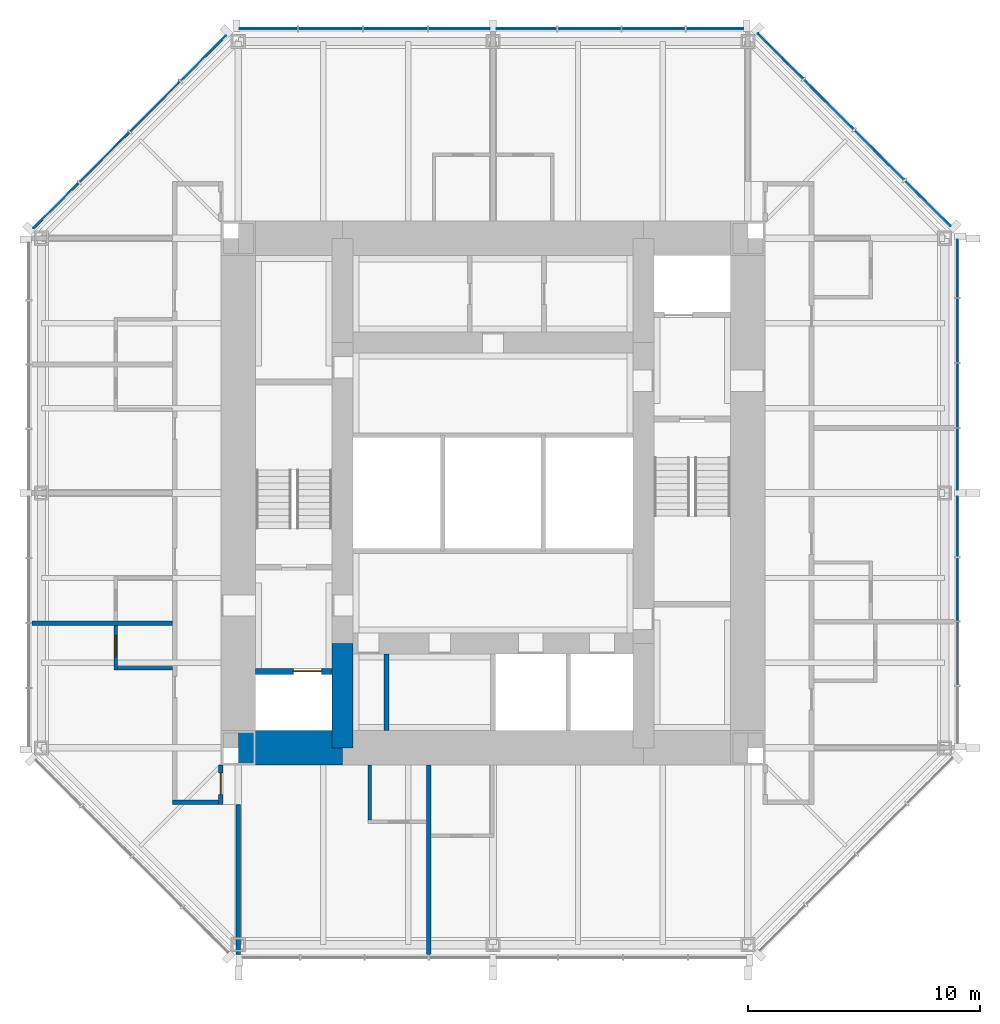
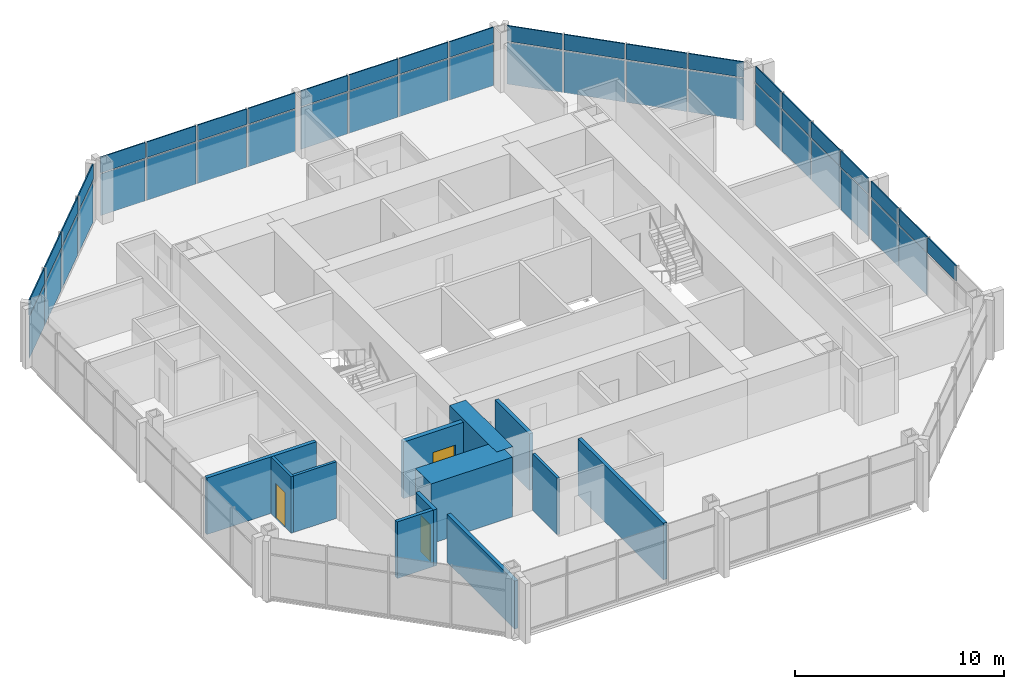
# One storey, part 7 of 11: 45 plates, 12 walls, 3 doors, 3 openings, 4 elements without a shape of their own.
"""IFC4 building model written with IfcOpenShell, lengths in metres."""

from ifc_helpers import new_model, si_unit, direction, frame, frame_2d, origin, origin_2d, place, context, subcontext, project, spatial, rectangle, extrude, material, layer, layer_set, type_object, element, fill, aggregate, save


model = new_model("IFC4")

# Units and contexts
model_context = context("Model", 3, precision=1e-05, world=origin(), true_north=direction((0.0, 1.0)))
body_context = subcontext(model_context, "Body", "Model", "MODEL_VIEW")
ifc_project = project(units=[si_unit("LENGTHUNIT", "METRE"), si_unit("AREAUNIT", "SQUARE_METRE"), si_unit("VOLUMEUNIT", "CUBIC_METRE"), si_unit("PLANEANGLEUNIT", "RADIAN"), si_unit("MASSUNIT", "GRAM", prefix="KILO")], contexts=[model_context])

# Site, building, storey
site_placement = place(None, origin())
site = spatial("IfcSite", under=ifc_project, at=site_placement, CompositionType="ELEMENT")
building_placement = place(site_placement, origin())
building = spatial("IfcBuilding", under=site, at=building_placement, Name="Trevanion Tower", CompositionType="ELEMENT")
storey_placement = place(building_placement, frame((0.0, 0.0, 222.199951171875)))
storey = spatial("IfcBuildingStorey", under=building, at=storey_placement, Name="L53", CompositionType="ELEMENT", Elevation=222.199951171875)

# Curtain wall, plates
ifc_material_1 = material(Name="Aluminium and glass", Category="aluminium")
curtain_wall_type = type_object("IfcCurtainWallType", Name="CW3 curtain wall", PredefinedType="USERDEFINED", material=ifc_material_1)
curtain_wall_1_placement = place(storey_placement, origin())
curtain_wall_1 = element("IfcCurtainWall", 1, at=curtain_wall_1_placement, inside=storey, type_object=curtain_wall_type, Name="CW3 L53 0", ObjectType="UNITISED CURTAIN WALL", PredefinedType="USERDEFINED")
ifc_material_2 = material(Name="Aluminium spandrel panel", Category="aluminium")
ifc_layer_1 = layer(ifc_material_2, 0.06005859375)
ifc_layer_set_1 = layer_set([ifc_layer_1], Name="CW3 spandrel panel")
plate_type_1 = type_object("IfcPlateType", Name="CW3 spandrel panel", PredefinedType="CURTAIN_PANEL", material=ifc_layer_set_1)
plate_1_placement = place(storey_placement, frame((20.050048828125, -6.93603515625, 2.3974609375), z_axis=(0.0, 0.0, 1.0), x_axis=(0.0, 1.0, 0.0)))
plate_1 = element("IfcPlate", 2, at=plate_1_placement, type_object=plate_type_1, Name="CW3 panel 2.2", PredefinedType="CURTAIN_PANEL", context=body_context, shape_type="SweptSolid", body=[
    extrude(rectangle(XDim=2.699462890625, YDim=0.06005859375, at=origin_2d()), origin(), (0.0, 0.0, 1.0), 0.91259765625),
])
plate_2_placement = place(storey_placement, frame((20.050048828125, -4.16162109375, 2.3974609375), z_axis=(0.0, 0.0, 1.0), x_axis=(0.0, 1.0, 0.0)))
plate_2 = element("IfcPlate", 3, at=plate_2_placement, type_object=plate_type_1, Name="CW3 panel 3.2", PredefinedType="CURTAIN_PANEL", context=body_context, shape_type="SweptSolid", body=[
    extrude(rectangle(XDim=2.699462890625, YDim=0.06005859375, at=origin_2d()), origin(), (0.0, 0.0, 1.0), 0.91259765625),
])
plate_3_placement = place(storey_placement, frame((20.050048828125, -1.443603515625, 2.3974609375), z_axis=(0.0, 0.0, 1.0), x_axis=(0.0, 1.0, 0.0)))
plate_3 = element("IfcPlate", 4, at=plate_3_placement, type_object=plate_type_1, Name="CW3 panel 4.2", PredefinedType="CURTAIN_PANEL", context=body_context, shape_type="SweptSolid", body=[
    extrude(rectangle(XDim=2.5869140625, YDim=0.06005859375, at=origin_2d()), origin(), (0.0, 0.0, 1.0), 0.91259765625),
])
plate_4_placement = place(storey_placement, frame((20.050048828125, 1.459716796875, 2.3974609375), z_axis=(0.0, 0.0, 1.0), x_axis=(0.0, 1.0, 0.0)))
plate_4 = element("IfcPlate", 5, at=plate_4_placement, type_object=plate_type_1, Name="CW3 panel 5.2", PredefinedType="CURTAIN_PANEL", context=body_context, shape_type="SweptSolid", body=[
    extrude(rectangle(XDim=2.619384765625, YDim=0.06005859375, at=origin_2d()), origin(), (0.0, 0.0, 1.0), 0.91259765625),
])
plate_5_placement = place(storey_placement, frame((20.050048828125, 4.21044921875, 2.3974609375), z_axis=(0.0, 0.0, 1.0), x_axis=(0.0, 1.0, 0.0)))
plate_5 = element("IfcPlate", 6, at=plate_5_placement, type_object=plate_type_1, Name="CW3 panel 6.2", PredefinedType="CURTAIN_PANEL", context=body_context, shape_type="SweptSolid", body=[
    extrude(rectangle(XDim=2.73193359375, YDim=0.06005859375, at=origin_2d()), origin(), (0.0, 0.0, 1.0), 0.91259765625),
])
plate_6_placement = place(storey_placement, frame((20.050048828125, 7.017333984375, 2.3974609375), z_axis=(0.0, 0.0, 1.0), x_axis=(0.0, 1.0, 0.0)))
plate_6 = element("IfcPlate", 7, at=plate_6_placement, type_object=plate_type_1, Name="CW3 panel 7.2", PredefinedType="CURTAIN_PANEL", context=body_context, shape_type="SweptSolid", body=[
    extrude(rectangle(XDim=2.73193359375, YDim=0.06005859375, at=origin_2d()), origin(), (0.0, 0.0, 1.0), 0.91259765625),
])
plate_7_placement = place(storey_placement, frame((20.050048828125, 9.693115234375, 2.3974609375), z_axis=(0.0, 0.0, 1.0), x_axis=(0.0, 1.0, 0.0)))
plate_7 = element("IfcPlate", 8, at=plate_7_placement, type_object=plate_type_1, Name="CW3 panel 8.2", PredefinedType="CURTAIN_PANEL", context=body_context, shape_type="SweptSolid", body=[
    extrude(rectangle(XDim=2.469482421875, YDim=0.06005859375, at=origin_2d()), origin(), (0.0, 0.0, 1.0), 0.91259765625),
])

curtain_wall_2_placement = place(storey_placement, origin())
curtain_wall_2 = element("IfcCurtainWall", 9, at=curtain_wall_2_placement, inside=storey, type_object=curtain_wall_type, Name="CW3 L53 1", ObjectType="UNITISED CURTAIN WALL", PredefinedType="USERDEFINED")
plate_8_placement = place(storey_placement, frame((18.77392578125, 12.50390625, 2.3974609375), z_axis=(0.0, 0.0, 1.0), x_axis=(-0.707106781187, 0.707106781187, 0.0)))
plate_8 = element("IfcPlate", 10, at=plate_8_placement, type_object=plate_type_1, Name="CW3 panel 1.2", PredefinedType="CURTAIN_PANEL", context=body_context, shape_type="SweptSolid", body=[
    extrude(rectangle(XDim=2.7490234375, YDim=0.06005859375, at=origin_2d()), origin(), (0.0, 0.0, 1.0), 0.91259765625),
])
plate_9_placement = place(storey_placement, frame((16.68408203125, 14.593505859375, 2.3974609375), z_axis=(0.0, 0.0, 1.0), x_axis=(-0.707106781187, 0.707106781187, 0.0)))
plate_9 = element("IfcPlate", 11, at=plate_9_placement, type_object=plate_type_1, Name="CW3 panel 2.2", PredefinedType="CURTAIN_PANEL", context=body_context, shape_type="SweptSolid", body=[
    extrude(rectangle(XDim=3.01171875, YDim=0.06005859375, at=origin_2d()), origin(), (0.0, 0.0, 1.0), 0.91259765625),
])
plate_10_placement = place(storey_placement, frame((14.501708984375, 16.776123046875, 2.3974609375), z_axis=(0.0, 0.0, 1.0), x_axis=(-0.707106781187, 0.707106781187, 0.0)))
plate_10 = element("IfcPlate", 12, at=plate_10_placement, type_object=plate_type_1, Name="CW3 panel 3.2", PredefinedType="CURTAIN_PANEL", context=body_context, shape_type="SweptSolid", body=[
    extrude(rectangle(XDim=3.01171875, YDim=0.06005859375, at=origin_2d()), origin(), (0.0, 0.0, 1.0), 0.91259765625),
])
plate_11_placement = place(storey_placement, frame((12.411865234375, 18.865966796875, 2.3974609375), z_axis=(0.0, 0.0, 1.0), x_axis=(-0.707106781187, 0.707106781187, 0.0)))
plate_11 = element("IfcPlate", 13, at=plate_11_placement, type_object=plate_type_1, Name="CW3 panel 4.2", PredefinedType="CURTAIN_PANEL", context=body_context, shape_type="SweptSolid", body=[
    extrude(rectangle(XDim=2.7490234375, YDim=0.06005859375, at=origin_2d()), origin(), (0.0, 0.0, 1.0), 0.91259765625),
])

curtain_wall_3_placement = place(storey_placement, origin())
curtain_wall_3 = element("IfcCurtainWall", 14, at=curtain_wall_3_placement, inside=storey, type_object=curtain_wall_type, Name="CW3 L53 2", ObjectType="UNITISED CURTAIN WALL", PredefinedType="USERDEFINED")
plate_12_placement = place(storey_placement, frame((9.579345703125, 20.050048828125, 2.3974609375), z_axis=(0.0, 0.0, 1.0), x_axis=(-1.0, 0.0, 0.0)))
plate_12 = element("IfcPlate", 15, at=plate_12_placement, type_object=plate_type_1, Name="CW3 panel 1.2", PredefinedType="CURTAIN_PANEL", context=body_context, shape_type="SweptSolid", body=[
    extrude(rectangle(XDim=2.43701171875, YDim=0.06005859375, at=origin_2d()), origin(), (0.0, 0.0, 1.0), 0.91259765625),
])
plate_13_placement = place(storey_placement, frame((6.93603515625, 20.050048828125, 2.3974609375), z_axis=(0.0, 0.0, 1.0), x_axis=(-1.0, 0.0, 0.0)))
plate_13 = element("IfcPlate", 16, at=plate_13_placement, type_object=plate_type_1, Name="CW3 panel 2.2", PredefinedType="CURTAIN_PANEL", context=body_context, shape_type="SweptSolid", body=[
    extrude(rectangle(XDim=2.699462890625, YDim=0.06005859375, at=origin_2d()), origin(), (0.0, 0.0, 1.0), 0.91259765625),
])
plate_14_placement = place(storey_placement, frame((4.16162109375, 20.050048828125, 2.3974609375), z_axis=(0.0, 0.0, 1.0), x_axis=(-1.0, 0.0, 0.0)))
plate_14 = element("IfcPlate", 17, at=plate_14_placement, type_object=plate_type_1, Name="CW3 panel 3.2", PredefinedType="CURTAIN_PANEL", context=body_context, shape_type="SweptSolid", body=[
    extrude(rectangle(XDim=2.699462890625, YDim=0.06005859375, at=origin_2d()), origin(), (0.0, 0.0, 1.0), 0.91259765625),
])
plate_15_placement = place(storey_placement, frame((1.443603515625, 20.050048828125, 2.3974609375), z_axis=(0.0, 0.0, 1.0), x_axis=(-1.0, 0.0, 0.0)))
plate_15 = element("IfcPlate", 18, at=plate_15_placement, type_object=plate_type_1, Name="CW3 panel 4.2", PredefinedType="CURTAIN_PANEL", context=body_context, shape_type="SweptSolid", body=[
    extrude(rectangle(XDim=2.5869140625, YDim=0.06005859375, at=origin_2d()), origin(), (0.0, 0.0, 1.0), 0.91259765625),
])
plate_16_placement = place(storey_placement, frame((-1.459716796875, 20.050048828125, 2.3974609375), z_axis=(0.0, 0.0, 1.0), x_axis=(-1.0, 0.0, 0.0)))
plate_16 = element("IfcPlate", 19, at=plate_16_placement, type_object=plate_type_1, Name="CW3 panel 5.2", PredefinedType="CURTAIN_PANEL", context=body_context, shape_type="SweptSolid", body=[
    extrude(rectangle(XDim=2.619384765625, YDim=0.06005859375, at=origin_2d()), origin(), (0.0, 0.0, 1.0), 0.91259765625),
])
plate_17_placement = place(storey_placement, frame((-4.21044921875, 20.050048828125, 2.3974609375), z_axis=(0.0, 0.0, 1.0), x_axis=(-1.0, 0.0, 0.0)))
plate_17 = element("IfcPlate", 20, at=plate_17_placement, type_object=plate_type_1, Name="CW3 panel 6.2", PredefinedType="CURTAIN_PANEL", context=body_context, shape_type="SweptSolid", body=[
    extrude(rectangle(XDim=2.73193359375, YDim=0.06005859375, at=origin_2d()), origin(), (0.0, 0.0, 1.0), 0.91259765625),
])
plate_18_placement = place(storey_placement, frame((-7.017333984375, 20.050048828125, 2.3974609375), z_axis=(0.0, 0.0, 1.0), x_axis=(-1.0, 0.0, 0.0)))
plate_18 = element("IfcPlate", 21, at=plate_18_placement, type_object=plate_type_1, Name="CW3 panel 7.2", PredefinedType="CURTAIN_PANEL", context=body_context, shape_type="SweptSolid", body=[
    extrude(rectangle(XDim=2.73193359375, YDim=0.06005859375, at=origin_2d()), origin(), (0.0, 0.0, 1.0), 0.91259765625),
])
plate_19_placement = place(storey_placement, frame((-9.693115234375, 20.050048828125, 2.3974609375), z_axis=(0.0, 0.0, 1.0), x_axis=(-1.0, 0.0, 0.0)))
plate_19 = element("IfcPlate", 22, at=plate_19_placement, type_object=plate_type_1, Name="CW3 panel 8.2", PredefinedType="CURTAIN_PANEL", context=body_context, shape_type="SweptSolid", body=[
    extrude(rectangle(XDim=2.469482421875, YDim=0.06005859375, at=origin_2d()), origin(), (0.0, 0.0, 1.0), 0.91259765625),
])

curtain_wall_4_placement = place(storey_placement, origin())
curtain_wall_4 = element("IfcCurtainWall", 23, at=curtain_wall_4_placement, inside=storey, type_object=curtain_wall_type, Name="CW3 L53 3", ObjectType="UNITISED CURTAIN WALL", PredefinedType="USERDEFINED")
plate_20_placement = place(storey_placement, frame((-12.50390625, 18.77392578125, 2.3974609375), z_axis=(0.0, 0.0, 1.0), x_axis=(-0.707106781187, -0.707106781187, 0.0)))
plate_20 = element("IfcPlate", 24, at=plate_20_placement, type_object=plate_type_1, Name="CW3 panel 1.2", PredefinedType="CURTAIN_PANEL", context=body_context, shape_type="SweptSolid", body=[
    extrude(rectangle(XDim=2.7490234375, YDim=0.06005859375, at=origin_2d()), origin(), (0.0, 0.0, 1.0), 0.91259765625),
])
plate_21_placement = place(storey_placement, frame((-14.593505859375, 16.68408203125, 2.3974609375), z_axis=(0.0, 0.0, 1.0), x_axis=(-0.707106781187, -0.707106781187, 0.0)))
plate_21 = element("IfcPlate", 25, at=plate_21_placement, type_object=plate_type_1, Name="CW3 panel 2.2", PredefinedType="CURTAIN_PANEL", context=body_context, shape_type="SweptSolid", body=[
    extrude(rectangle(XDim=3.01171875, YDim=0.06005859375, at=origin_2d()), origin(), (0.0, 0.0, 1.0), 0.91259765625),
])
plate_22_placement = place(storey_placement, frame((-16.776123046875, 14.501708984375, 2.3974609375), z_axis=(0.0, 0.0, 1.0), x_axis=(-0.707106781187, -0.707106781187, 0.0)))
plate_22 = element("IfcPlate", 26, at=plate_22_placement, type_object=plate_type_1, Name="CW3 panel 3.2", PredefinedType="CURTAIN_PANEL", context=body_context, shape_type="SweptSolid", body=[
    extrude(rectangle(XDim=3.01171875, YDim=0.06005859375, at=origin_2d()), origin(), (0.0, 0.0, 1.0), 0.91259765625),
])
plate_23_placement = place(storey_placement, frame((-18.865966796875, 12.411865234375, 2.3974609375), z_axis=(0.0, 0.0, 1.0), x_axis=(-0.707106781187, -0.707106781187, 0.0)))
plate_23 = element("IfcPlate", 27, at=plate_23_placement, type_object=plate_type_1, Name="CW3 panel 4.2", PredefinedType="CURTAIN_PANEL", context=body_context, shape_type="SweptSolid", body=[
    extrude(rectangle(XDim=2.7490234375, YDim=0.06005859375, at=origin_2d()), origin(), (0.0, 0.0, 1.0), 0.91259765625),
])

# Plate
ifc_material_3 = material(Name="Insulating glass unit", Category="glass")
ifc_layer_2 = layer(ifc_material_3, 0.028076171875)
ifc_layer_set_2 = layer_set([ifc_layer_2], Name="CW3 vision panel")
plate_type_2 = type_object("IfcPlateType", Name="CW3 vision panel", PredefinedType="CURTAIN_PANEL", material=ifc_layer_set_2)
plate_24_placement = place(storey_placement, frame((20.050048828125, -4.16162109375, -0.114990234375), z_axis=(0.0, 0.0, 1.0), x_axis=(0.0, 1.0, 0.0)))
plate_24 = element("IfcPlate", 28, at=plate_24_placement, type_object=plate_type_2, Name="CW3 panel 3.1", PredefinedType="CURTAIN_PANEL", context=body_context, shape_type="SweptSolid", body=[
    extrude(rectangle(XDim=2.699462890625, YDim=0.028076171875, at=origin_2d()), origin(), (0.0, 0.0, 1.0), 2.4375),
])

plate_25_placement = place(storey_placement, frame((20.050048828125, -1.443603515625, -0.114990234375), z_axis=(0.0, 0.0, 1.0), x_axis=(0.0, 1.0, 0.0)))
plate_25 = element("IfcPlate", 29, at=plate_25_placement, type_object=plate_type_2, Name="CW3 panel 4.1", PredefinedType="CURTAIN_PANEL", context=body_context, shape_type="SweptSolid", body=[
    extrude(rectangle(XDim=2.5869140625, YDim=0.028076171875, at=origin_2d()), origin(), (0.0, 0.0, 1.0), 2.4375),
])

plate_26_placement = place(storey_placement, frame((20.050048828125, 1.459716796875, -0.114990234375), z_axis=(0.0, 0.0, 1.0), x_axis=(0.0, 1.0, 0.0)))
plate_26 = element("IfcPlate", 30, at=plate_26_placement, type_object=plate_type_2, Name="CW3 panel 5.1", PredefinedType="CURTAIN_PANEL", context=body_context, shape_type="SweptSolid", body=[
    extrude(rectangle(XDim=2.619384765625, YDim=0.028076171875, at=origin_2d()), origin(), (0.0, 0.0, 1.0), 2.4375),
])

plate_27_placement = place(storey_placement, frame((20.050048828125, 4.21044921875, -0.114990234375), z_axis=(0.0, 0.0, 1.0), x_axis=(0.0, 1.0, 0.0)))
plate_27 = element("IfcPlate", 31, at=plate_27_placement, type_object=plate_type_2, Name="CW3 panel 6.1", PredefinedType="CURTAIN_PANEL", context=body_context, shape_type="SweptSolid", body=[
    extrude(rectangle(XDim=2.73193359375, YDim=0.028076171875, at=origin_2d()), origin(), (0.0, 0.0, 1.0), 2.4375),
])

plate_28_placement = place(storey_placement, frame((20.050048828125, 7.017333984375, -0.114990234375), z_axis=(0.0, 0.0, 1.0), x_axis=(0.0, 1.0, 0.0)))
plate_28 = element("IfcPlate", 32, at=plate_28_placement, type_object=plate_type_2, Name="CW3 panel 7.1", PredefinedType="CURTAIN_PANEL", context=body_context, shape_type="SweptSolid", body=[
    extrude(rectangle(XDim=2.73193359375, YDim=0.028076171875, at=origin_2d()), origin(), (0.0, 0.0, 1.0), 2.4375),
])

plate_29_placement = place(storey_placement, frame((20.050048828125, 9.693115234375, -0.114990234375), z_axis=(0.0, 0.0, 1.0), x_axis=(0.0, 1.0, 0.0)))
plate_29 = element("IfcPlate", 33, at=plate_29_placement, type_object=plate_type_2, Name="CW3 panel 8.1", PredefinedType="CURTAIN_PANEL", context=body_context, shape_type="SweptSolid", body=[
    extrude(rectangle(XDim=2.469482421875, YDim=0.028076171875, at=origin_2d()), origin(), (0.0, 0.0, 1.0), 2.4375),
])

aggregate(curtain_wall_1, [plate_1, plate_24, plate_2, plate_25, plate_3, plate_26, plate_4, plate_27, plate_5, plate_28, plate_6, plate_29, plate_7])

plate_30_placement = place(storey_placement, frame((18.77392578125, 12.50390625, -0.114990234375), z_axis=(0.0, 0.0, 1.0), x_axis=(-0.707106781187, 0.707106781187, 0.0)))
plate_30 = element("IfcPlate", 34, at=plate_30_placement, type_object=plate_type_2, Name="CW3 panel 1.1", PredefinedType="CURTAIN_PANEL", context=body_context, shape_type="SweptSolid", body=[
    extrude(rectangle(XDim=2.7490234375, YDim=0.028076171875, at=origin_2d()), origin(), (0.0, 0.0, 1.0), 2.4375),
])

plate_31_placement = place(storey_placement, frame((16.68408203125, 14.593505859375, -0.114990234375), z_axis=(0.0, 0.0, 1.0), x_axis=(-0.707106781187, 0.707106781187, 0.0)))
plate_31 = element("IfcPlate", 35, at=plate_31_placement, type_object=plate_type_2, Name="CW3 panel 2.1", PredefinedType="CURTAIN_PANEL", context=body_context, shape_type="SweptSolid", body=[
    extrude(rectangle(XDim=3.01171875, YDim=0.028076171875, at=origin_2d()), origin(), (0.0, 0.0, 1.0), 2.4375),
])

plate_32_placement = place(storey_placement, frame((14.501708984375, 16.776123046875, -0.114990234375), z_axis=(0.0, 0.0, 1.0), x_axis=(-0.707106781187, 0.707106781187, 0.0)))
plate_32 = element("IfcPlate", 36, at=plate_32_placement, type_object=plate_type_2, Name="CW3 panel 3.1", PredefinedType="CURTAIN_PANEL", context=body_context, shape_type="SweptSolid", body=[
    extrude(rectangle(XDim=3.01171875, YDim=0.028076171875, at=origin_2d()), origin(), (0.0, 0.0, 1.0), 2.4375),
])

plate_33_placement = place(storey_placement, frame((12.411865234375, 18.865966796875, -0.114990234375), z_axis=(0.0, 0.0, 1.0), x_axis=(-0.707106781187, 0.707106781187, 0.0)))
plate_33 = element("IfcPlate", 37, at=plate_33_placement, type_object=plate_type_2, Name="CW3 panel 4.1", PredefinedType="CURTAIN_PANEL", context=body_context, shape_type="SweptSolid", body=[
    extrude(rectangle(XDim=2.7490234375, YDim=0.028076171875, at=origin_2d()), origin(), (0.0, 0.0, 1.0), 2.4375),
])

aggregate(curtain_wall_2, [plate_30, plate_8, plate_31, plate_9, plate_32, plate_10, plate_33, plate_11])

plate_34_placement = place(storey_placement, frame((9.579345703125, 20.050048828125, -0.114990234375), z_axis=(0.0, 0.0, 1.0), x_axis=(-1.0, 0.0, 0.0)))
plate_34 = element("IfcPlate", 38, at=plate_34_placement, type_object=plate_type_2, Name="CW3 panel 1.1", PredefinedType="CURTAIN_PANEL", context=body_context, shape_type="SweptSolid", body=[
    extrude(rectangle(XDim=2.43701171875, YDim=0.028076171875, at=origin_2d()), origin(), (0.0, 0.0, 1.0), 2.4375),
])

plate_35_placement = place(storey_placement, frame((6.93603515625, 20.050048828125, -0.114990234375), z_axis=(0.0, 0.0, 1.0), x_axis=(-1.0, 0.0, 0.0)))
plate_35 = element("IfcPlate", 39, at=plate_35_placement, type_object=plate_type_2, Name="CW3 panel 2.1", PredefinedType="CURTAIN_PANEL", context=body_context, shape_type="SweptSolid", body=[
    extrude(rectangle(XDim=2.699462890625, YDim=0.028076171875, at=origin_2d()), origin(), (0.0, 0.0, 1.0), 2.4375),
])

plate_36_placement = place(storey_placement, frame((4.16162109375, 20.050048828125, -0.114990234375), z_axis=(0.0, 0.0, 1.0), x_axis=(-1.0, 0.0, 0.0)))
plate_36 = element("IfcPlate", 40, at=plate_36_placement, type_object=plate_type_2, Name="CW3 panel 3.1", PredefinedType="CURTAIN_PANEL", context=body_context, shape_type="SweptSolid", body=[
    extrude(rectangle(XDim=2.699462890625, YDim=0.028076171875, at=origin_2d()), origin(), (0.0, 0.0, 1.0), 2.4375),
])

plate_37_placement = place(storey_placement, frame((1.443603515625, 20.050048828125, -0.114990234375), z_axis=(0.0, 0.0, 1.0), x_axis=(-1.0, 0.0, 0.0)))
plate_37 = element("IfcPlate", 41, at=plate_37_placement, type_object=plate_type_2, Name="CW3 panel 4.1", PredefinedType="CURTAIN_PANEL", context=body_context, shape_type="SweptSolid", body=[
    extrude(rectangle(XDim=2.5869140625, YDim=0.028076171875, at=origin_2d()), origin(), (0.0, 0.0, 1.0), 2.4375),
])

plate_38_placement = place(storey_placement, frame((-1.459716796875, 20.050048828125, -0.114990234375), z_axis=(0.0, 0.0, 1.0), x_axis=(-1.0, 0.0, 0.0)))
plate_38 = element("IfcPlate", 42, at=plate_38_placement, type_object=plate_type_2, Name="CW3 panel 5.1", PredefinedType="CURTAIN_PANEL", context=body_context, shape_type="SweptSolid", body=[
    extrude(rectangle(XDim=2.619384765625, YDim=0.028076171875, at=origin_2d()), origin(), (0.0, 0.0, 1.0), 2.4375),
])

plate_39_placement = place(storey_placement, frame((-4.21044921875, 20.050048828125, -0.114990234375), z_axis=(0.0, 0.0, 1.0), x_axis=(-1.0, 0.0, 0.0)))
plate_39 = element("IfcPlate", 43, at=plate_39_placement, type_object=plate_type_2, Name="CW3 panel 6.1", PredefinedType="CURTAIN_PANEL", context=body_context, shape_type="SweptSolid", body=[
    extrude(rectangle(XDim=2.73193359375, YDim=0.028076171875, at=origin_2d()), origin(), (0.0, 0.0, 1.0), 2.4375),
])

plate_40_placement = place(storey_placement, frame((-7.017333984375, 20.050048828125, -0.114990234375), z_axis=(0.0, 0.0, 1.0), x_axis=(-1.0, 0.0, 0.0)))
plate_40 = element("IfcPlate", 44, at=plate_40_placement, type_object=plate_type_2, Name="CW3 panel 7.1", PredefinedType="CURTAIN_PANEL", context=body_context, shape_type="SweptSolid", body=[
    extrude(rectangle(XDim=2.73193359375, YDim=0.028076171875, at=origin_2d()), origin(), (0.0, 0.0, 1.0), 2.4375),
])

plate_41_placement = place(storey_placement, frame((-9.693115234375, 20.050048828125, -0.114990234375), z_axis=(0.0, 0.0, 1.0), x_axis=(-1.0, 0.0, 0.0)))
plate_41 = element("IfcPlate", 45, at=plate_41_placement, type_object=plate_type_2, Name="CW3 panel 8.1", PredefinedType="CURTAIN_PANEL", context=body_context, shape_type="SweptSolid", body=[
    extrude(rectangle(XDim=2.469482421875, YDim=0.028076171875, at=origin_2d()), origin(), (0.0, 0.0, 1.0), 2.4375),
])

aggregate(curtain_wall_3, [plate_34, plate_12, plate_35, plate_13, plate_36, plate_14, plate_37, plate_15, plate_38, plate_16, plate_39, plate_17, plate_40, plate_18, plate_41, plate_19])

plate_42_placement = place(storey_placement, frame((-12.50390625, 18.77392578125, -0.114990234375), z_axis=(0.0, 0.0, 1.0), x_axis=(-0.707106781187, -0.707106781187, 0.0)))
plate_42 = element("IfcPlate", 46, at=plate_42_placement, type_object=plate_type_2, Name="CW3 panel 1.1", PredefinedType="CURTAIN_PANEL", context=body_context, shape_type="SweptSolid", body=[
    extrude(rectangle(XDim=2.7490234375, YDim=0.028076171875, at=origin_2d()), origin(), (0.0, 0.0, 1.0), 2.4375),
])

plate_43_placement = place(storey_placement, frame((-14.593505859375, 16.68408203125, -0.114990234375), z_axis=(0.0, 0.0, 1.0), x_axis=(-0.707106781187, -0.707106781187, 0.0)))
plate_43 = element("IfcPlate", 47, at=plate_43_placement, type_object=plate_type_2, Name="CW3 panel 2.1", PredefinedType="CURTAIN_PANEL", context=body_context, shape_type="SweptSolid", body=[
    extrude(rectangle(XDim=3.01171875, YDim=0.028076171875, at=origin_2d()), origin(), (0.0, 0.0, 1.0), 2.4375),
])

plate_44_placement = place(storey_placement, frame((-16.776123046875, 14.501708984375, -0.114990234375), z_axis=(0.0, 0.0, 1.0), x_axis=(-0.707106781187, -0.707106781187, 0.0)))
plate_44 = element("IfcPlate", 48, at=plate_44_placement, type_object=plate_type_2, Name="CW3 panel 3.1", PredefinedType="CURTAIN_PANEL", context=body_context, shape_type="SweptSolid", body=[
    extrude(rectangle(XDim=3.01171875, YDim=0.028076171875, at=origin_2d()), origin(), (0.0, 0.0, 1.0), 2.4375),
])

plate_45_placement = place(storey_placement, frame((-18.865966796875, 12.411865234375, -0.114990234375), z_axis=(0.0, 0.0, 1.0), x_axis=(-0.707106781187, -0.707106781187, 0.0)))
plate_45 = element("IfcPlate", 49, at=plate_45_placement, type_object=plate_type_2, Name="CW3 panel 4.1", PredefinedType="CURTAIN_PANEL", context=body_context, shape_type="SweptSolid", body=[
    extrude(rectangle(XDim=2.7490234375, YDim=0.028076171875, at=origin_2d()), origin(), (0.0, 0.0, 1.0), 2.4375),
])

aggregate(curtain_wall_4, [plate_42, plate_20, plate_43, plate_21, plate_44, plate_22, plate_45, plate_23])

# Walls
ifc_material_4 = material(Name="Concrete 10,000 psi", Category="concrete")
ifc_layer_3 = layer(ifc_material_4, 1.5)
ifc_layer_set_3 = layer_set([ifc_layer_3], Name="CW1 core wall 1500")
wall_type_1 = type_object("IfcWallType", Name="CW1 core wall 1500", PredefinedType="SHEAR", material=ifc_layer_set_3)
wall_1_placement = place(storey_placement, frame((-11.0, -11.0, 0.0), z_axis=(0.0, 0.0, 1.0), x_axis=(1.0, 0.0, 0.0)))
element("IfcWall", 50, at=wall_1_placement, inside=storey, type_object=wall_type_1, Name="CW1 CS1 L53", PredefinedType="SHEAR", context=body_context, shape_type="SweptSolid", body=[
    extrude(rectangle(XDim=4.5, YDim=1.5, at=frame_2d((2.25, 0.0))), origin(), (0.0, 0.0, 1.0), 3.5),
])
ifc_material_5 = material(Name="Concrete 10,000 psi", Category="concrete")
ifc_layer_4 = layer(ifc_material_5, 0.89990234375)
ifc_layer_set_4 = layer_set([ifc_layer_4], Name="CW2 core wall 900")
wall_type_2 = type_object("IfcWallType", Name="CW2 core wall 900", PredefinedType="SHEAR", material=ifc_layer_set_4)
wall_2_placement = place(storey_placement, frame((-6.5, -6.5, 0.0), z_axis=(0.0, 0.0, 1.0), x_axis=(0.0, -1.0, 0.0)))
element("IfcWall", 51, at=wall_2_placement, inside=storey, type_object=wall_type_2, Name="CW2 RW3 L53", PredefinedType="SHEAR", context=body_context, shape_type="SweptSolid", body=[
    extrude(rectangle(XDim=4.5, YDim=0.89990234375, at=frame_2d((2.25, 0.0))), origin(), (0.0, 0.0, 1.0), 3.5),
])

# Wall, opening, door
ifc_material_6 = material(Name="Gypsum board on steel studs", Category="steel")
ifc_layer_5 = layer(ifc_material_6, 0.14990234375)
ifc_layer_set_5 = layer_set([ifc_layer_5], Name="PT1 partition 150")
wall_type_3 = type_object("IfcWallType", Name="PT1 partition 150", PredefinedType="PARTITIONING", material=ifc_layer_set_5)
wall_3_placement = place(storey_placement, frame((-16.300048828125, -5.714111328125, 0.0), z_axis=(0.0, 0.0, 1.0), x_axis=(0.0, -1.0, 0.0)))
wall_3 = element("IfcWall", 52, at=wall_3_placement, inside=storey, type_object=wall_type_3, Name="PT1 L53 BA23", PredefinedType="PARTITIONING", context=body_context, shape_type="SweptSolid", body=[
    extrude(rectangle(XDim=1.9248046875, YDim=0.14990234375, at=frame_2d((0.96240234375, 0.0))), origin(), (0.0, 0.0, 1.0), 3.31005859375),
])
opening_1_placement = place(wall_3_placement, frame((0.4423828125, 0.0, 0.0)))
opening_1 = element("IfcOpeningElement", 53, at=opening_1_placement, cuts=wall_3, Name="Opening 53-034", PredefinedType="OPENING", context=body_context, shape_type="SweptSolid", body=[
    extrude(rectangle(XDim=0.9150390625, YDim=2.031982421875, at=frame_2d((0.45751953125, 1.01611328125))), frame((0.0, 0.0849609375, 0.0), z_axis=(0.0, -1.0, 0.0), x_axis=(1.0, 0.0, 0.0)), (0.0, 0.0, 1.0), 0.169921875),
])
ifc_material_7 = material(Name="Timber veneer", Category="wood")
door_type_1 = type_object("IfcDoorType", Name="D7 bathroom door", OperationType="SINGLE_SWING_LEFT", PredefinedType="DOOR", material=ifc_material_7)
door_1_placement = place(opening_1_placement, origin())
door_1 = element("IfcDoor", 54, at=door_1_placement, inside=storey, type_object=door_type_1, Name="Door 53-034", OperationType="SINGLE_SWING_LEFT", OverallHeight=2.031982421875, OverallWidth=0.9150390625, PredefinedType="DOOR", context=body_context, shape_type="SweptSolid", body=[
    extrude(rectangle(XDim=0.9150390625, YDim=2.031982421875, at=frame_2d((0.45751953125, 1.01611328125))), frame((0.0, 0.02490234375, 0.0), z_axis=(0.0, -1.0, 0.0), x_axis=(1.0, 0.0, 0.0)), (0.0, 0.0, 1.0), 0.050048828125),
])
fill(opening_1, door_1)

# Walls
for number, where, z_axis, x_axis, name in (
    (55, (-13.85009765625, -7.56396484375, 0.0), (0.0, 0.0, 1.0), (-1.0, 0.0, 0.0), "PT1 L53 BB23"),
    (56, (-5.324951171875, -11.75, 0.0), (0.0, 0.0, 1.0), (0.0, -1.0, 0.0), "PT1 L53 BB30"),
):
    element("IfcWall", number, at=place(storey_placement, frame(where, z_axis=z_axis, x_axis=x_axis)), inside=storey, type_object=wall_type_3, Name=name, PredefinedType="PARTITIONING", context=body_context, shape_type="SweptSolid", body=[
        extrude(rectangle(XDim=2.375, YDim=0.14990234375, at=frame_2d((1.1875, 0.0))), origin(), (0.0, 0.0, 1.0), 3.31005859375),
    ])
ifc_material_8 = material(Name="Concrete masonry, grouted", Category="masonry")
ifc_layer_6 = layer(ifc_material_8, 0.199951171875)
ifc_layer_set_6 = layer_set([ifc_layer_6], Name="PT2 partition 200 1 HR")
wall_type_4 = type_object("IfcWallType", Name="PT2 partition 200 1 HR", PredefinedType="PARTITIONING", material=ifc_layer_set_6)
wall_4_placement = place(storey_placement, frame((-4.60009765625, -10.25, 0.0), z_axis=(0.0, 0.0, 1.0), x_axis=(0.0, 1.0, 0.0)))
element("IfcWall", 57, at=wall_4_placement, inside=storey, type_object=wall_type_4, Name="PT2 L53 SI0", PredefinedType="PARTITIONING", context=body_context, shape_type="SweptSolid", body=[
    extrude(rectangle(XDim=3.300048828125, YDim=0.199951171875, at=frame_2d((1.64990234375, 0.0))), origin(), (0.0, 0.0, 1.0), 3.31005859375),
])

# Wall, opening, door
wall_5_placement = place(storey_placement, frame((-11.75, -11.75, 0.0), z_axis=(0.0, 0.0, 1.0), x_axis=(0.0, -1.0, 0.0)))
wall_5 = element("IfcWall", 58, at=wall_5_placement, inside=storey, type_object=wall_type_4, Name="PT2 L53 HO3a", PredefinedType="PARTITIONING", context=body_context, shape_type="SweptSolid", body=[
    extrude(rectangle(XDim=1.699951171875, YDim=0.199951171875, at=frame_2d((0.85009765625, 0.0))), origin(), (0.0, 0.0, 1.0), 3.31005859375),
])
opening_2_placement = place(wall_5_placement, frame((0.342529296875, 0.0, 0.0)))
opening_2 = element("IfcOpeningElement", 59, at=opening_2_placement, cuts=wall_5, Name="Opening 53-036", PredefinedType="OPENING", context=body_context, shape_type="SweptSolid", body=[
    extrude(rectangle(XDim=0.9150390625, YDim=2.134033203125, at=frame_2d((0.45751953125, 1.06689453125))), frame((0.0, 0.10986328125, 0.0), z_axis=(0.0, -1.0, 0.0), x_axis=(1.0, 0.0, 0.0)), (0.0, 0.0, 1.0), 0.219970703125),
])
ifc_material_9 = material(Name="Timber veneer, fire rated", Category="wood")
door_type_2 = type_object("IfcDoorType", Name="D6 guest room entrance door", OperationType="SINGLE_SWING_LEFT", PredefinedType="DOOR", material=ifc_material_9)
door_2_placement = place(opening_2_placement, origin())
door_2 = element("IfcDoor", 60, at=door_2_placement, inside=storey, type_object=door_type_2, Name="Door 53-036", OperationType="SINGLE_SWING_LEFT", OverallHeight=2.134033203125, OverallWidth=0.9150390625, PredefinedType="DOOR", context=body_context, shape_type="SweptSolid", body=[
    extrude(rectangle(XDim=0.9150390625, YDim=2.134033203125, at=frame_2d((0.45751953125, 1.06689453125))), frame((0.0, 0.02490234375, 0.0), z_axis=(0.0, -1.0, 0.0), x_axis=(1.0, 0.0, 0.0)), (0.0, 0.0, 1.0), 0.050048828125),
])
fill(opening_2, door_2)

# Walls
wall_6_placement = place(storey_placement, frame((-13.85009765625, -13.35009765625, 0.0), z_axis=(0.0, 0.0, 1.0), x_axis=(1.0, 0.0, 0.0)))
element("IfcWall", 61, at=wall_6_placement, inside=storey, type_object=wall_type_4, Name="PT2 L53 HC3ca", PredefinedType="PARTITIONING", context=body_context, shape_type="SweptSolid", body=[
    extrude(rectangle(XDim=2.0, YDim=0.199951171875, at=frame_2d((1.0, 0.0))), origin(), (0.0, 0.0, 1.0), 3.31005859375),
])
wall_7_placement = place(storey_placement, frame((-13.85009765625, -5.614013671875, 0.0), z_axis=(0.0, 0.0, 1.0), x_axis=(-1.0, 0.0, 0.0)))
element("IfcWall", 62, at=wall_7_placement, inside=storey, type_object=wall_type_4, Name="PT2 L53 HD23", PredefinedType="PARTITIONING", context=body_context, shape_type="SweptSolid", body=[
    extrude(rectangle(XDim=6.06494140625, YDim=0.199951171875, at=frame_2d((3.032470703125, 0.0))), origin(), (0.0, 0.0, 1.0), 3.31005859375),
])
wall_8_placement = place(storey_placement, frame((-11.0, -13.449951171875, 0.0), z_axis=(0.0, 0.0, 1.0), x_axis=(0.0, -1.0, 0.0)))
element("IfcWall", 63, at=wall_8_placement, inside=storey, type_object=wall_type_4, Name="PT2 L53 HD30", PredefinedType="PARTITIONING", context=body_context, shape_type="SweptSolid", body=[
    extrude(rectangle(XDim=6.465087890625, YDim=0.199951171875, at=frame_2d((3.232421875, 0.0))), origin(), (0.0, 0.0, 1.0), 2.802001953125),
])
wall_9_placement = place(storey_placement, frame((-2.77490234375, -11.75, 0.0), z_axis=(0.0, 0.0, 1.0), x_axis=(0.0, -1.0, 0.0)))
element("IfcWall", 64, at=wall_9_placement, inside=storey, type_object=wall_type_4, Name="PT2 L53 HD31", PredefinedType="PARTITIONING", context=body_context, shape_type="SweptSolid", body=[
    extrude(rectangle(XDim=8.1650390625, YDim=0.199951171875, at=frame_2d((4.08251953125, 0.0))), origin(), (0.0, 0.0, 1.0), 3.31005859375),
])

# Wall, opening, door
ifc_material_10 = material(Name="Concrete masonry, grouted, two-hour", Category="masonry")
ifc_layer_7 = layer(ifc_material_10, 0.25)
ifc_layer_set_7 = layer_set([ifc_layer_7], Name="PT3 partition 250 2 HR")
wall_type_5 = type_object("IfcWallType", Name="PT3 partition 250 2 HR", PredefinedType="PARTITIONING", material=ifc_layer_set_7)
wall_10_placement = place(storey_placement, frame((-6.949951171875, -7.699951171875, 0.0), z_axis=(0.0, 0.0, 1.0), x_axis=(-1.0, 0.0, 0.0)))
wall_10 = element("IfcWall", 65, at=wall_10_placement, inside=storey, type_object=wall_type_5, Name="PT3 L53 WP3", PredefinedType="PARTITIONING", context=body_context, shape_type="SweptSolid", body=[
    extrude(rectangle(XDim=3.300048828125, YDim=0.25, at=frame_2d((1.64990234375, 0.0))), origin(), (0.0, 0.0, 1.0), 3.31005859375),
])
opening_3_placement = place(wall_10_placement, frame((0.449951171875, 0.0, 0.0)))
opening_3 = element("IfcOpeningElement", 66, at=opening_3_placement, cuts=wall_10, Name="Opening 53-008", PredefinedType="OPENING", context=body_context, shape_type="SweptSolid", body=[
    extrude(rectangle(XDim=1.218994140625, YDim=2.134033203125, at=frame_2d((0.609375, 1.06689453125))), frame((0.0, 0.135009765625, 0.0), z_axis=(0.0, -1.0, 0.0), x_axis=(1.0, 0.0, 0.0)), (0.0, 0.0, 1.0), 0.27001953125),
])
ifc_material_11 = material(Name="Stainless steel, fire rated", Category="steel")
door_type_3 = type_object("IfcDoorType", Name="LD2 fire service lift landing door", OperationType="SLIDING_TO_LEFT", PredefinedType="DOOR", material=ifc_material_11)
door_3_placement = place(opening_3_placement, origin())
door_3 = element("IfcDoor", 67, at=door_3_placement, inside=storey, type_object=door_type_3, Name="Door 53-008", OperationType="SLIDING_TO_LEFT", OverallHeight=2.134033203125, OverallWidth=1.218994140625, PredefinedType="DOOR", context=body_context, shape_type="SweptSolid", body=[
    extrude(rectangle(XDim=1.218994140625, YDim=2.134033203125, at=frame_2d((0.609375, 1.06689453125))), frame((0.0, 0.02490234375, 0.0), z_axis=(0.0, -1.0, 0.0), x_axis=(1.0, 0.0, 0.0)), (0.0, 0.0, 1.0), 0.050048828125),
])
fill(opening_3, door_3)

save(model, "model.ifc")
